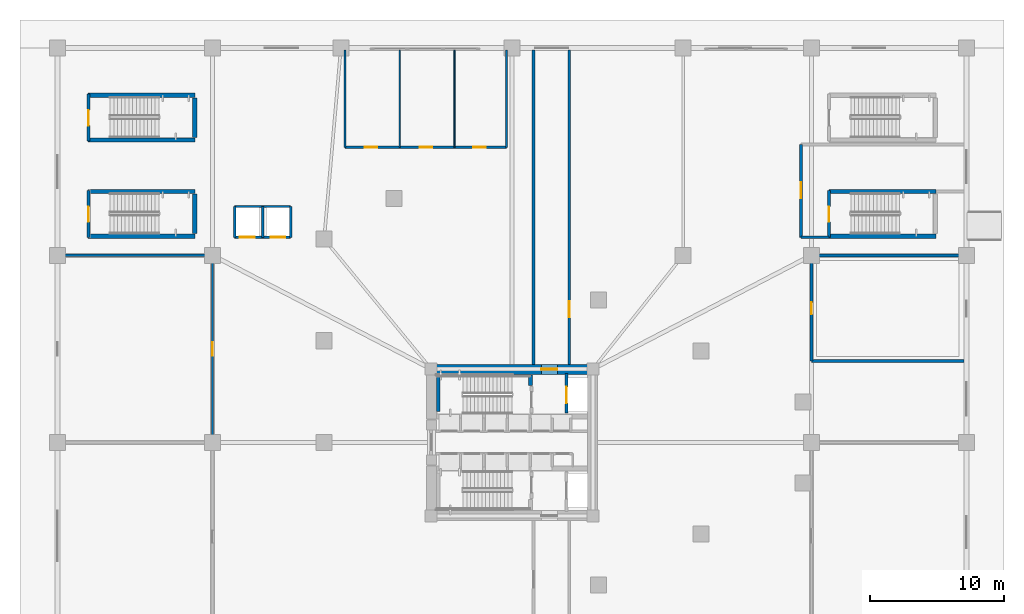
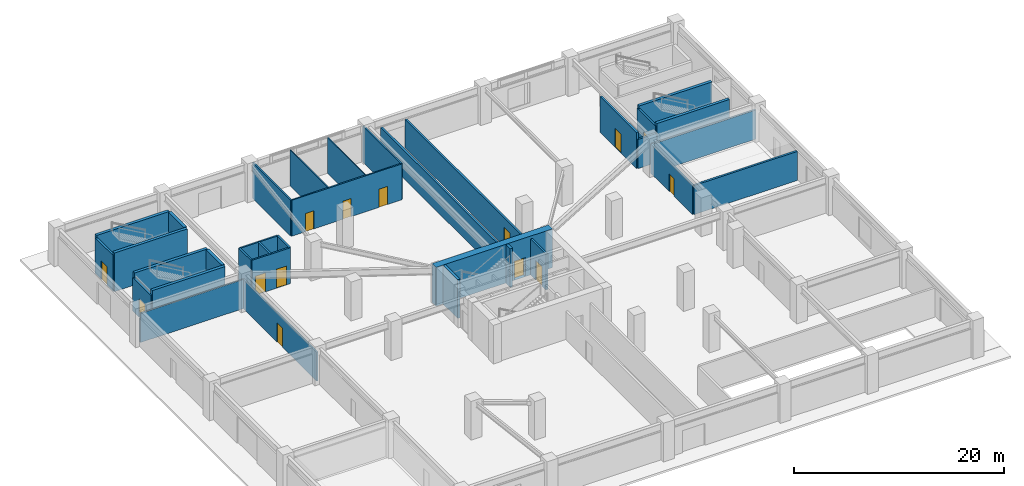
# One storey, part 6 of 18: 34 walls, 14 doors, 14 openings.
"""IFC4 building model written with IfcOpenShell, lengths in metres."""

from ifc_helpers import new_model, si_unit, direction, frame, frame_2d, origin, place, context, subcontext, project, spatial, rectangle, extrude, material, layer, layer_set, type_object, element, fill, save


model = new_model("IFC4")

# Units and contexts
model_context = context("Model", 3, precision=1e-05, world=origin(), true_north=direction((0.0, 1.0)))
body_context = subcontext(model_context, "Body", "Model", "MODEL_VIEW")
ifc_project = project(units=[si_unit("LENGTHUNIT", "METRE"), si_unit("AREAUNIT", "SQUARE_METRE"), si_unit("VOLUMEUNIT", "CUBIC_METRE"), si_unit("PLANEANGLEUNIT", "RADIAN"), si_unit("MASSUNIT", "GRAM", prefix="KILO")], contexts=[model_context])

# Site, building, storey
site_placement = place(None, origin())
site = spatial("IfcSite", under=ifc_project, at=site_placement, CompositionType="ELEMENT")
building_placement = place(site_placement, origin())
building = spatial("IfcBuilding", under=site, at=building_placement, Name="Yunling Apex Tower", CompositionType="ELEMENT")
storey_placement = place(building_placement, origin())
storey = spatial("IfcBuildingStorey", under=building, at=storey_placement, Name="L01", CompositionType="ELEMENT", Elevation=0.0)

# Wall, opening, door
ifc_material_1 = material(Name="Concrete C60", Category="concrete")
ifc_layer_1 = layer(ifc_material_1, 0.75)
ifc_layer_set_1 = layer_set([ifc_layer_1], Name="Concrete C60")
wall_type_1 = type_object("IfcWallType", Name="WL-COR-1", PredefinedType="SHEAR", material=ifc_layer_set_1)
wall_1_placement = place(storey_placement, frame((-6.39990234375, 5.47509765625, 0.0), z_axis=(0.0, 0.0, 1.0), x_axis=(1.0, 0.0, 0.0)))
wall_1 = element("IfcWall", 1, at=wall_1_placement, inside=storey, type_object=wall_type_1, Name="L01 North Core Shear Wall", PredefinedType="SHEAR", context=body_context, shape_type="SweptSolid", body=[
    extrude(rectangle(XDim=12.7998046875, YDim=0.75, at=frame_2d((6.39990234375, 0.0))), origin(), (0.0, 0.0, 1.0), 4.5),
])
opening_1_placement = place(wall_1_placement, frame((8.60009765625, 0.0, 0.0)))
opening_1 = element("IfcOpeningElement", 2, at=opening_1_placement, cuts=wall_1, Name="Opening DR-FFL-1", PredefinedType="OPENING", context=body_context, shape_type="SweptSolid", body=[
    extrude(rectangle(XDim=1.199951171875, YDim=2.199951171875, at=frame_2d((0.60009765625, 1.10009765625))), frame((0.0, 0.385009765625, 0.0), z_axis=(0.0, -1.0, 0.0), x_axis=(1.0, 0.0, 0.0)), (0.0, 0.0, 1.0), 0.77001953125),
])
ifc_material_2 = material(Name="Steel Q355B", Category="steel")
door_type_1 = type_object("IfcDoorType", Name="DR-FFL-1", OperationType="NOTDEFINED", PredefinedType="DOOR", material=ifc_material_2)
door_1_placement = place(opening_1_placement, origin())
door_1 = element("IfcDoor", 3, at=door_1_placement, inside=storey, type_object=door_type_1, Name="L01 North Firefighting Lobby Door", OperationType="SINGLE_SWING_LEFT", OverallHeight=2.199951171875, OverallWidth=1.199951171875, PredefinedType="DOOR", context=body_context, shape_type="SweptSolid", body=[
    extrude(rectangle(XDim=1.199951171875, YDim=2.199951171875, at=frame_2d((0.60009765625, 1.10009765625))), frame((0.0, 0.02490234375, 0.0), z_axis=(0.0, -1.0, 0.0), x_axis=(1.0, 0.0, 0.0)), (0.0, 0.0, 1.0), 0.050048828125),
])
fill(opening_1, door_1)

# Walls
ifc_material_3 = material(Name="Concrete C40", Category="concrete")
ifc_layer_2 = layer(ifc_material_3, 0.320068359375)
ifc_layer_set_2 = layer_set([ifc_layer_2], Name="Concrete C40")
wall_type_2 = type_object("IfcWallType", Name="WL-COR-7", PredefinedType="SHEAR", material=ifc_layer_set_2)
for number, where, z_axis, x_axis, name in (
    (4, (-31.699951171875, 18.780029296875, 0.0), (0.0, 0.0, 1.0), (1.0, 0.0, 0.0), "L01 STP1 North Bearing Wall"),
    (5, (-31.699951171875, 15.419921875, 0.0), (0.0, 0.0, 1.0), (1.0, 0.0, 0.0), "L01 STP1 South Bearing Wall"),
):
    element("IfcWall", number, at=place(storey_placement, frame(where, z_axis=z_axis, x_axis=x_axis)), inside=storey, type_object=wall_type_2, Name=name, PredefinedType="SHEAR", context=body_context, shape_type="SweptSolid", body=[
        extrude(rectangle(XDim=8.0, YDim=0.320068359375, at=frame_2d((4.0, 0.0))), origin(), (0.0, 0.0, 1.0), 4.5),
    ])
wall_2_placement = place(storey_placement, frame((-23.719970703125, 15.6201171875, 0.0), z_axis=(0.0, 0.0, 1.0), x_axis=(0.0, 1.0, 0.0)))
element("IfcWall", 6, at=wall_2_placement, inside=storey, type_object=wall_type_2, Name="L01 STP1 Half-Landing Bearing Wall", PredefinedType="SHEAR", context=body_context, shape_type="SweptSolid", body=[
    extrude(rectangle(XDim=2.9599609375, YDim=0.320068359375, at=frame_2d((1.47998046875, 0.0))), origin(), (0.0, 0.0, 1.0), 4.5),
])
for number, where, z_axis, x_axis, name in (
    (7, (23.699951171875, 18.780029296875, 0.0), (0.0, 0.0, 1.0), (1.0, 0.0, 0.0), "L01 STP2 North Bearing Wall"),
    (8, (23.699951171875, 15.419921875, 0.0), (0.0, 0.0, 1.0), (1.0, 0.0, 0.0), "L01 STP2 South Bearing Wall"),
    (9, (-31.699951171875, 25.97998046875, 0.0), (0.0, 0.0, 1.0), (1.0, 0.0, 0.0), "L01 STG1 North Bearing Wall"),
    (10, (-31.699951171875, 22.6201171875, 0.0), (0.0, 0.0, 1.0), (1.0, 0.0, 0.0), "L01 STG1 South Bearing Wall"),
):
    element("IfcWall", number, at=place(storey_placement, frame(where, z_axis=z_axis, x_axis=x_axis)), inside=storey, type_object=wall_type_2, Name=name, PredefinedType="SHEAR", context=body_context, shape_type="SweptSolid", body=[
        extrude(rectangle(XDim=8.0, YDim=0.320068359375, at=frame_2d((4.0, 0.0))), origin(), (0.0, 0.0, 1.0), 4.5),
    ])
wall_3_placement = place(storey_placement, frame((-23.719970703125, 22.820068359375, 0.0), z_axis=(0.0, 0.0, 1.0), x_axis=(0.0, 1.0, 0.0)))
element("IfcWall", 11, at=wall_3_placement, inside=storey, type_object=wall_type_2, Name="L01 STG1 Half-Landing Bearing Wall", PredefinedType="SHEAR", context=body_context, shape_type="SweptSolid", body=[
    extrude(rectangle(XDim=2.9599609375, YDim=0.320068359375, at=frame_2d((1.47998046875, 0.0))), origin(), (0.0, 0.0, 1.0), 4.5),
])
ifc_layer_3 = layer(ifc_material_3, 0.280029296875)
ifc_layer_set_3 = layer_set([ifc_layer_3], Name="Concrete C40")
wall_type_3 = type_object("IfcWallType", Name="WL-COR-8", PredefinedType="SHEAR", material=ifc_layer_set_3)
wall_4_placement = place(storey_placement, frame((-5.52001953125, 2.300048828125, 0.0), z_axis=(0.0, 0.0, 1.0), x_axis=(0.0, 1.0, 0.0)))
element("IfcWall", 12, at=wall_4_placement, inside=storey, type_object=wall_type_3, Name="L01 ST-1 West Landing Bearing Wall", PredefinedType="SHEAR", context=body_context, shape_type="SweptSolid", body=[
    extrude(rectangle(XDim=2.75, YDim=0.280029296875, at=frame_2d((1.375, 0.0))), origin(), (0.0, 0.0, 1.0), 4.5),
])
wall_5_placement = place(storey_placement, frame((1.3798828125, 4.25, 0.0), z_axis=(0.0, 0.0, 1.0), x_axis=(0.0, 1.0, 0.0)))
element("IfcWall", 13, at=wall_5_placement, inside=storey, type_object=wall_type_3, Name="L01 ST-1 East Landing Bearing Pier", PredefinedType="SHEAR", context=body_context, shape_type="SweptSolid", body=[
    extrude(rectangle(XDim=0.800048828125, YDim=0.280029296875, at=frame_2d((0.39990234375, 0.0))), origin(), (0.0, 0.0, 1.0), 4.5),
])

# Wall, openings, doors
ifc_material_4 = material(Name="Gypsum board acoustic partition")
ifc_layer_4 = layer(ifc_material_4, 0.159912109375)
ifc_layer_set_4 = layer_set([ifc_layer_4], Name="Gypsum board acoustic partition")
wall_type_4 = type_object("IfcWallType", Name="WL-PRT-1", PredefinedType="PARTITIONING", material=ifc_layer_set_4)
wall_6_placement = place(storey_placement, frame((-12.5, 22.080078125, 0.0), z_axis=(0.0, 0.0, 1.0), x_axis=(1.0, 0.0, 0.0)))
wall_6 = element("IfcWall", 14, at=wall_6_placement, inside=storey, type_object=wall_type_4, Name="WL-L01-WCS", PredefinedType="PARTITIONING", context=body_context, shape_type="SweptSolid", body=[
    extrude(rectangle(XDim=12.10009765625, YDim=0.159912109375, at=frame_2d((6.050048828125, 0.0))), origin(), (0.0, 0.0, 1.0), 4.169921875),
])
opening_2_placement = place(wall_6_placement, frame((1.5, 0.0, 0.0)))
opening_2 = element("IfcOpeningElement", 15, at=opening_2_placement, cuts=wall_6, Name="Opening DR-WC-1", PredefinedType="OPENING", context=body_context, shape_type="SweptSolid", body=[
    extrude(rectangle(XDim=0.919921875, YDim=2.10009765625, at=frame_2d((0.4599609375, 1.050048828125))), frame((0.0, 0.08984375, 0.0), z_axis=(0.0, -1.0, 0.0), x_axis=(1.0, 0.0, 0.0)), (0.0, 0.0, 1.0), 0.179931640625),
])
opening_3_placement = place(wall_6_placement, frame((5.60009765625, 0.0, 0.0)))
opening_3 = element("IfcOpeningElement", 16, at=opening_3_placement, cuts=wall_6, Name="Opening DR-WC-1", PredefinedType="OPENING", context=body_context, shape_type="SweptSolid", body=[
    extrude(rectangle(XDim=0.919921875, YDim=2.10009765625, at=frame_2d((0.4599609375, 1.050048828125))), frame((0.0, 0.08984375, 0.0), z_axis=(0.0, -1.0, 0.0), x_axis=(1.0, 0.0, 0.0)), (0.0, 0.0, 1.0), 0.179931640625),
])
opening_4_placement = place(wall_6_placement, frame((9.60009765625, 0.0, 0.0)))
opening_4 = element("IfcOpeningElement", 17, at=opening_4_placement, cuts=wall_6, Name="Opening DR-WC-1", PredefinedType="OPENING", context=body_context, shape_type="SweptSolid", body=[
    extrude(rectangle(XDim=0.919921875, YDim=2.10009765625, at=frame_2d((0.4599609375, 1.050048828125))), frame((0.0, 0.08984375, 0.0), z_axis=(0.0, -1.0, 0.0), x_axis=(1.0, 0.0, 0.0)), (0.0, 0.0, 1.0), 0.179931640625),
])
ifc_material_5 = material(Name="Timber moisture-resistant leaf", Category="wood")
door_type_2 = type_object("IfcDoorType", Name="DR-WC-1", OperationType="NOTDEFINED", PredefinedType="DOOR", material=ifc_material_5)
door_2_placement = place(opening_2_placement, origin())
door_2 = element("IfcDoor", 18, at=door_2_placement, inside=storey, type_object=door_type_2, Name="L01 Male Toilet Door", OperationType="SINGLE_SWING_LEFT", OverallHeight=2.10009765625, OverallWidth=0.919921875, PredefinedType="DOOR", context=body_context, shape_type="SweptSolid", body=[
    extrude(rectangle(XDim=0.919921875, YDim=2.10009765625, at=frame_2d((0.4599609375, 1.050048828125))), frame((0.0, 0.02490234375, 0.0), z_axis=(0.0, -1.0, 0.0), x_axis=(1.0, 0.0, 0.0)), (0.0, 0.0, 1.0), 0.050048828125),
])
fill(opening_2, door_2)
door_3_placement = place(opening_3_placement, origin())
door_3 = element("IfcDoor", 19, at=door_3_placement, inside=storey, type_object=door_type_2, Name="L01 Female Toilet Door", OperationType="SINGLE_SWING_RIGHT", OverallHeight=2.10009765625, OverallWidth=0.919921875, PredefinedType="DOOR", context=body_context, shape_type="SweptSolid", body=[
    extrude(rectangle(XDim=0.919921875, YDim=2.10009765625, at=frame_2d((0.4599609375, 1.050048828125))), frame((0.0, 0.02490234375, 0.0), z_axis=(0.0, -1.0, 0.0), x_axis=(1.0, 0.0, 0.0)), (0.0, 0.0, 1.0), 0.050048828125),
])
fill(opening_3, door_3)
door_4_placement = place(opening_4_placement, origin())
door_4 = element("IfcDoor", 20, at=door_4_placement, inside=storey, type_object=door_type_2, Name="L01 Accessible WC Door", OperationType="SINGLE_SWING_LEFT", OverallHeight=2.10009765625, OverallWidth=0.919921875, PredefinedType="DOOR", context=body_context, shape_type="SweptSolid", body=[
    extrude(rectangle(XDim=0.919921875, YDim=2.10009765625, at=frame_2d((0.4599609375, 1.050048828125))), frame((0.0, 0.02490234375, 0.0), z_axis=(0.0, -1.0, 0.0), x_axis=(1.0, 0.0, 0.0)), (0.0, 0.0, 1.0), 0.050048828125),
])
fill(opening_4, door_4)

# Walls
for number, where, z_axis, x_axis, name in (
    (21, (-12.5, 22.080078125, 0.0), (0.0, 0.0, 1.0), (0.0, 1.0, 0.0), "WL-L01-WCW"),
    (22, (-0.39990234375, 22.080078125, 0.0), (0.0, 0.0, 1.0), (0.0, 1.0, 0.0), "WL-L01-WCE"),
):
    element("IfcWall", number, at=place(storey_placement, frame(where, z_axis=z_axis, x_axis=x_axis)), inside=storey, type_object=wall_type_4, Name=name, PredefinedType="PARTITIONING", context=body_context, shape_type="SweptSolid", body=[
        extrude(rectangle(XDim=7.27001953125, YDim=0.159912109375, at=frame_2d((3.635009765625, 0.0))), origin(), (0.0, 0.0, 1.0), 4.169921875),
    ])

# Wall, opening, door
wall_7_placement = place(storey_placement, frame((-22.39990234375, 0.0, 0.0), z_axis=(0.0, 0.0, 1.0), x_axis=(0.0, 1.0, 0.0)))
wall_7 = element("IfcWall", 23, at=wall_7_placement, inside=storey, type_object=wall_type_4, Name="WL-L01-RET1E", PredefinedType="PARTITIONING", context=body_context, shape_type="SweptSolid", body=[
    extrude(rectangle(XDim=14.0, YDim=0.159912109375, at=frame_2d((7.0, 0.0))), origin(), (0.0, 0.0, 1.0), 3.375),
])
opening_5_placement = place(wall_7_placement, frame((6.5, 0.0, 0.0)))
opening_5 = element("IfcOpeningElement", 24, at=opening_5_placement, cuts=wall_7, Name="Opening DR-OFF-1", PredefinedType="OPENING", context=body_context, shape_type="SweptSolid", body=[
    extrude(rectangle(XDim=1.0, YDim=2.25, at=frame_2d((0.5, 1.125))), frame((0.0, 0.08984375, 0.0), z_axis=(0.0, -1.0, 0.0), x_axis=(1.0, 0.0, 0.0)), (0.0, 0.0, 1.0), 0.179931640625),
])
ifc_material_6 = material(Name="Bronze anodised aluminium", Category="aluminium")
door_type_3 = type_object("IfcDoorType", Name="DR-OFF-1", OperationType="NOTDEFINED", PredefinedType="DOOR", material=ifc_material_6)
door_5_placement = place(opening_5_placement, origin())
door_5 = element("IfcDoor", 25, at=door_5_placement, inside=storey, type_object=door_type_3, Name="L01 West Retail Boutique Door", OperationType="SINGLE_SWING_LEFT", OverallHeight=2.25, OverallWidth=1.0, PredefinedType="DOOR", context=body_context, shape_type="SweptSolid", body=[
    extrude(rectangle(XDim=1.0, YDim=2.25, at=frame_2d((0.5, 1.125))), frame((0.0, 0.02490234375, 0.0), z_axis=(0.0, -1.0, 0.0), x_axis=(1.0, 0.0, 0.0)), (0.0, 0.0, 1.0), 0.050048828125),
])
fill(opening_5, door_5)

# Walls
wall_8_placement = place(storey_placement, frame((-33.800048828125, 14.0, 0.0), z_axis=(0.0, 0.0, 1.0), x_axis=(1.0, 0.0, 0.0)))
element("IfcWall", 26, at=wall_8_placement, inside=storey, type_object=wall_type_4, Name="WL-L01-RET1N", PredefinedType="PARTITIONING", context=body_context, shape_type="SweptSolid", body=[
    extrude(rectangle(XDim=11.400146484375, YDim=0.159912109375, at=frame_2d((5.7001953125, 0.0))), origin(), (0.0, 0.0, 1.0), 3.375),
])
ifc_layer_5 = layer(ifc_material_4, 0.10009765625)
ifc_layer_set_5 = layer_set([ifc_layer_5], Name="Gypsum board acoustic partition")
wall_type_5 = type_object("IfcWallType", Name="WL-PRT-4", PredefinedType="PARTITIONING", material=ifc_layer_set_5)
for number, where, z_axis, x_axis, name in (
    (27, (-8.39990234375, 22.080078125, 0.0), (0.0, 0.0, 1.0), (0.0, 1.0, 0.0), "WL-L01-WCD1"),
    (28, (-4.300048828125, 22.080078125, 0.0), (0.0, 0.0, 1.0), (0.0, 1.0, 0.0), "WL-L01-WCD2"),
):
    element("IfcWall", number, at=place(storey_placement, frame(where, z_axis=z_axis, x_axis=x_axis)), inside=storey, type_object=wall_type_5, Name=name, PredefinedType="PARTITIONING", context=body_context, shape_type="SweptSolid", body=[
        extrude(rectangle(XDim=7.27001953125, YDim=0.10009765625, at=frame_2d((3.635009765625, 0.0))), origin(), (0.0, 0.0, 1.0), 4.169921875),
    ])

# Wall, opening, door
ifc_material_7 = material(Name="Autoclaved aerated concrete masonry", Category="masonry")
ifc_layer_6 = layer(ifc_material_7, 0.219970703125)
ifc_layer_set_6 = layer_set([ifc_layer_6], Name="Autoclaved aerated concrete masonry")
wall_type_6 = type_object("IfcWallType", Name="WL-SHF-1", PredefinedType="PLUMBINGWALL", material=ifc_layer_set_6)
wall_9_placement = place(storey_placement, frame((4.080078125, 2.199951171875, 0.0), z_axis=(0.0, 0.0, 1.0), x_axis=(0.0, 1.0, 0.0)))
wall_9 = element("IfcWall", 29, at=wall_9_placement, inside=storey, type_object=wall_type_6, Name="WL-FFL1-W-L01", PredefinedType="PLUMBINGWALL", context=body_context, shape_type="SweptSolid", body=[
    extrude(rectangle(XDim=2.949951171875, YDim=0.219970703125, at=frame_2d((1.47509765625, 0.0))), origin(), (0.0, 0.0, 1.0), 4.169921875),
])
opening_6_placement = place(wall_9_placement, frame((0.75, 0.0, 0.0)))
opening_6 = element("IfcOpeningElement", 30, at=opening_6_placement, cuts=wall_9, Name="Opening LD-FFL-1", PredefinedType="OPENING", context=body_context, shape_type="SweptSolid", body=[
    extrude(rectangle(XDim=1.199951171875, YDim=2.25, at=frame_2d((0.60009765625, 1.125))), frame((0.0, 0.1201171875, 0.0), z_axis=(0.0, -1.0, 0.0), x_axis=(1.0, 0.0, 0.0)), (0.0, 0.0, 1.0), 0.239990234375),
])
door_type_4 = type_object("IfcDoorType", Name="LD-FFL-1", OperationType="DOUBLE_DOOR_SLIDING", PredefinedType="DOOR", material=ifc_material_2)
door_6_placement = place(opening_6_placement, origin())
door_6 = element("IfcDoor", 31, at=door_6_placement, inside=storey, type_object=door_type_4, Name="L01 Lift FFL-1 Landing Door", OperationType="DOUBLE_DOOR_SLIDING", OverallHeight=2.25, OverallWidth=1.199951171875, PredefinedType="DOOR", context=body_context, shape_type="SweptSolid", body=[
    extrude(rectangle(XDim=1.199951171875, YDim=2.25, at=frame_2d((0.60009765625, 1.125))), frame((0.0, 0.02490234375, 0.0), z_axis=(0.0, -1.0, 0.0), x_axis=(1.0, 0.0, 0.0)), (0.0, 0.0, 1.0), 0.050048828125),
])
fill(opening_6, door_6)

wall_10_placement = place(storey_placement, frame((-31.679931640625, 15.35009765625, 0.0), z_axis=(0.0, 0.0, 1.0), x_axis=(0.0, 1.0, 0.0)))
wall_10 = element("IfcWall", 32, at=wall_10_placement, inside=storey, type_object=wall_type_6, Name="WL-STP1-W-L01", PredefinedType="PLUMBINGWALL", context=body_context, shape_type="SweptSolid", body=[
    extrude(rectangle(XDim=3.5, YDim=0.219970703125, at=frame_2d((1.75, 0.0))), origin(), (0.0, 0.0, 1.0), 3.89990234375),
])
opening_7_placement = place(wall_10_placement, frame((1.14990234375, 0.0, 0.0)))
opening_7 = element("IfcOpeningElement", 33, at=opening_7_placement, cuts=wall_10, Name="Opening DR-ST-1", PredefinedType="OPENING", context=body_context, shape_type="SweptSolid", body=[
    extrude(rectangle(XDim=1.14990234375, YDim=2.14990234375, at=frame_2d((0.574951171875, 1.074951171875))), frame((0.0, 0.1201171875, 0.0), z_axis=(0.0, -1.0, 0.0), x_axis=(1.0, 0.0, 0.0)), (0.0, 0.0, 1.0), 0.239990234375),
])
door_type_5 = type_object("IfcDoorType", Name="DR-ST-1", OperationType="NOTDEFINED", PredefinedType="DOOR", material=ifc_material_2)
door_7_placement = place(opening_7_placement, origin())
door_7 = element("IfcDoor", 34, at=door_7_placement, inside=storey, type_object=door_type_5, Name="L01 Stair ST-P1 Door", OperationType="SINGLE_SWING_LEFT", OverallHeight=2.14990234375, OverallWidth=1.14990234375, PredefinedType="DOOR", context=body_context, shape_type="SweptSolid", body=[
    extrude(rectangle(XDim=1.14990234375, YDim=2.14990234375, at=frame_2d((0.574951171875, 1.074951171875))), frame((0.0, 0.02490234375, 0.0), z_axis=(0.0, -1.0, 0.0), x_axis=(1.0, 0.0, 0.0)), (0.0, 0.0, 1.0), 0.050048828125),
])
fill(opening_7, door_7)

wall_11_placement = place(storey_placement, frame((23.719970703125, 15.35009765625, 0.0), z_axis=(0.0, 0.0, 1.0), x_axis=(0.0, 1.0, 0.0)))
wall_11 = element("IfcWall", 35, at=wall_11_placement, inside=storey, type_object=wall_type_6, Name="WL-STP2-W-L01", PredefinedType="PLUMBINGWALL", context=body_context, shape_type="SweptSolid", body=[
    extrude(rectangle(XDim=3.5, YDim=0.219970703125, at=frame_2d((1.75, 0.0))), origin(), (0.0, 0.0, 1.0), 4.169921875),
])
opening_8_placement = place(wall_11_placement, frame((1.14990234375, 0.0, 0.0)))
opening_8 = element("IfcOpeningElement", 36, at=opening_8_placement, cuts=wall_11, Name="Opening DR-ST-1", PredefinedType="OPENING", context=body_context, shape_type="SweptSolid", body=[
    extrude(rectangle(XDim=1.14990234375, YDim=2.14990234375, at=frame_2d((0.574951171875, 1.074951171875))), frame((0.0, 0.1201171875, 0.0), z_axis=(0.0, -1.0, 0.0), x_axis=(1.0, 0.0, 0.0)), (0.0, 0.0, 1.0), 0.239990234375),
])
door_8_placement = place(opening_8_placement, origin())
door_8 = element("IfcDoor", 37, at=door_8_placement, inside=storey, type_object=door_type_5, Name="L01 Stair ST-P2 Door", OperationType="SINGLE_SWING_RIGHT", OverallHeight=2.14990234375, OverallWidth=1.14990234375, PredefinedType="DOOR", context=body_context, shape_type="SweptSolid", body=[
    extrude(rectangle(XDim=1.14990234375, YDim=2.14990234375, at=frame_2d((0.574951171875, 1.074951171875))), frame((0.0, 0.02490234375, 0.0), z_axis=(0.0, -1.0, 0.0), x_axis=(1.0, 0.0, 0.0)), (0.0, 0.0, 1.0), 0.050048828125),
])
fill(opening_8, door_8)

wall_12_placement = place(storey_placement, frame((-31.679931640625, 22.550048828125, 0.0), z_axis=(0.0, 0.0, 1.0), x_axis=(0.0, 1.0, 0.0)))
wall_12 = element("IfcWall", 38, at=wall_12_placement, inside=storey, type_object=wall_type_6, Name="WL-STG1-W-L01", PredefinedType="PLUMBINGWALL", context=body_context, shape_type="SweptSolid", body=[
    extrude(rectangle(XDim=3.5, YDim=0.219970703125, at=frame_2d((1.75, 0.0))), origin(), (0.0, 0.0, 1.0), 4.169921875),
])
opening_9_placement = place(wall_12_placement, frame((1.14990234375, 0.0, 0.0)))
opening_9 = element("IfcOpeningElement", 39, at=opening_9_placement, cuts=wall_12, Name="Opening DR-ST-1", PredefinedType="OPENING", context=body_context, shape_type="SweptSolid", body=[
    extrude(rectangle(XDim=1.14990234375, YDim=2.14990234375, at=frame_2d((0.574951171875, 1.074951171875))), frame((0.0, 0.1201171875, 0.0), z_axis=(0.0, -1.0, 0.0), x_axis=(1.0, 0.0, 0.0)), (0.0, 0.0, 1.0), 0.239990234375),
])
door_9_placement = place(opening_9_placement, origin())
door_9 = element("IfcDoor", 40, at=door_9_placement, inside=storey, type_object=door_type_5, Name="L01 Garden Stair ST-G1 Door", OperationType="SINGLE_SWING_LEFT", OverallHeight=2.14990234375, OverallWidth=1.14990234375, PredefinedType="DOOR", context=body_context, shape_type="SweptSolid", body=[
    extrude(rectangle(XDim=1.14990234375, YDim=2.14990234375, at=frame_2d((0.574951171875, 1.074951171875))), frame((0.0, 0.02490234375, 0.0), z_axis=(0.0, -1.0, 0.0), x_axis=(1.0, 0.0, 0.0)), (0.0, 0.0, 1.0), 0.050048828125),
])
fill(opening_9, door_9)

# Wall
wall_13_placement = place(storey_placement, frame((1.6201171875, 5.85009765625, 0.0), z_axis=(0.0, 0.0, 1.0), x_axis=(0.0, 1.0, 0.0)))
element("IfcWall", 41, at=wall_13_placement, inside=storey, type_object=wall_type_6, Name="WL-EXPN-W", PredefinedType="PLUMBINGWALL", context=body_context, shape_type="SweptSolid", body=[
    extrude(rectangle(XDim=23.5, YDim=0.219970703125, at=frame_2d((11.75, 0.0))), origin(), (0.0, 0.0, 1.0), 3.27490234375),
])

# Wall, opening, door
wall_14_placement = place(storey_placement, frame((4.280029296875, 5.85009765625, 0.0), z_axis=(0.0, 0.0, 1.0), x_axis=(0.0, 1.0, 0.0)))
wall_14 = element("IfcWall", 42, at=wall_14_placement, inside=storey, type_object=wall_type_6, Name="WL-EXPN-E", PredefinedType="PLUMBINGWALL", context=body_context, shape_type="SweptSolid", body=[
    extrude(rectangle(XDim=23.5, YDim=0.219970703125, at=frame_2d((11.75, 0.0))), origin(), (0.0, 0.0, 1.0), 3.27490234375),
])
opening_10_placement = place(wall_14_placement, frame((3.5, 0.0, 0.0)))
opening_10 = element("IfcOpeningElement", 43, at=opening_10_placement, cuts=wall_14, Name="Opening DR-FFL-1", PredefinedType="OPENING", context=body_context, shape_type="SweptSolid", body=[
    extrude(rectangle(XDim=1.199951171875, YDim=2.199951171875, at=frame_2d((0.60009765625, 1.10009765625))), frame((0.0, 0.1201171875, 0.0), z_axis=(0.0, -1.0, 0.0), x_axis=(1.0, 0.0, 0.0)), (0.0, 0.0, 1.0), 0.239990234375),
])
door_10_placement = place(opening_10_placement, origin())
door_10 = element("IfcDoor", 44, at=door_10_placement, inside=storey, type_object=door_type_1, Name="L01 North Hall to Exit Passage Fire Door", OperationType="SINGLE_SWING_RIGHT", OverallHeight=2.199951171875, OverallWidth=1.199951171875, PredefinedType="DOOR", context=body_context, shape_type="SweptSolid", body=[
    extrude(rectangle(XDim=1.199951171875, YDim=2.199951171875, at=frame_2d((0.60009765625, 1.10009765625))), frame((0.0, 0.02490234375, 0.0), z_axis=(0.0, -1.0, 0.0), x_axis=(1.0, 0.0, 0.0)), (0.0, 0.0, 1.0), 0.050048828125),
])
fill(opening_10, door_10)

wall_15_placement = place(storey_placement, frame((21.6201171875, 15.35009765625, 0.0), z_axis=(0.0, 0.0, 1.0), x_axis=(0.0, 1.0, 0.0)))
wall_15 = element("IfcWall", 45, at=wall_15_placement, inside=storey, type_object=wall_type_6, Name="WL-EXPE-W", PredefinedType="PLUMBINGWALL", context=body_context, shape_type="SweptSolid", body=[
    extrude(rectangle(XDim=6.929931640625, YDim=0.219970703125, at=frame_2d((3.46484375, 0.0))), origin(), (0.0, 0.0, 1.0), 4.169921875),
])
opening_11_placement = place(wall_15_placement, frame((2.89990234375, 0.0, 0.0)))
opening_11 = element("IfcOpeningElement", 46, at=opening_11_placement, cuts=wall_15, Name="Opening DR-FFL-1", PredefinedType="OPENING", context=body_context, shape_type="SweptSolid", body=[
    extrude(rectangle(XDim=1.199951171875, YDim=2.199951171875, at=frame_2d((0.60009765625, 1.10009765625))), frame((0.0, 0.1201171875, 0.0), z_axis=(0.0, -1.0, 0.0), x_axis=(1.0, 0.0, 0.0)), (0.0, 0.0, 1.0), 0.239990234375),
])
door_11_placement = place(opening_11_placement, origin())
door_11 = element("IfcDoor", 47, at=door_11_placement, inside=storey, type_object=door_type_1, Name="L01 East Hall to Exit Passage Fire Door", OperationType="SINGLE_SWING_RIGHT", OverallHeight=2.199951171875, OverallWidth=1.199951171875, PredefinedType="DOOR", context=body_context, shape_type="SweptSolid", body=[
    extrude(rectangle(XDim=1.199951171875, YDim=2.199951171875, at=frame_2d((0.60009765625, 1.10009765625))), frame((0.0, 0.02490234375, 0.0), z_axis=(0.0, -1.0, 0.0), x_axis=(1.0, 0.0, 0.0)), (0.0, 0.0, 1.0), 0.050048828125),
])
fill(opening_11, door_11)

# Wall
wall_16_placement = place(storey_placement, frame((21.6201171875, 15.35009765625, 0.0), z_axis=(0.0, 0.0, 1.0), x_axis=(1.0, 0.0, 0.0)))
element("IfcWall", 48, at=wall_16_placement, inside=storey, type_object=wall_type_6, Name="WL-EXPE-S1", PredefinedType="PLUMBINGWALL", context=body_context, shape_type="SweptSolid", body=[
    extrude(rectangle(XDim=2.099853515625, YDim=0.219970703125, at=frame_2d((1.0498046875, 0.0))), origin(), (0.0, 0.0, 1.0), 3.375),
])

# Wall, opening, door
wall_17_placement = place(storey_placement, frame((22.39990234375, 6.080078125, 0.0), z_axis=(0.0, 0.0, 1.0), x_axis=(0.0, 1.0, 0.0)))
wall_17 = element("IfcWall", 49, at=wall_17_placement, inside=storey, type_object=wall_type_6, Name="WL-FCC-W", PredefinedType="PLUMBINGWALL", context=body_context, shape_type="SweptSolid", body=[
    extrude(rectangle(XDim=7.919921875, YDim=0.219970703125, at=frame_2d((3.9599609375, 0.0))), origin(), (0.0, 0.0, 1.0), 3.375),
])
opening_12_placement = place(wall_17_placement, frame((3.5, 0.0, 0.0)))
opening_12 = element("IfcOpeningElement", 50, at=opening_12_placement, cuts=wall_17, Name="Opening DR-SHF-1", PredefinedType="OPENING", context=body_context, shape_type="SweptSolid", body=[
    extrude(rectangle(XDim=0.89990234375, YDim=2.050048828125, at=frame_2d((0.449951171875, 1.02490234375))), frame((0.0, 0.1201171875, 0.0), z_axis=(0.0, -1.0, 0.0), x_axis=(1.0, 0.0, 0.0)), (0.0, 0.0, 1.0), 0.239990234375),
])
door_type_6 = type_object("IfcDoorType", Name="DR-SHF-1", OperationType="NOTDEFINED", PredefinedType="DOOR", material=ifc_material_2)
door_12_placement = place(opening_12_placement, origin())
door_12 = element("IfcDoor", 51, at=door_12_placement, inside=storey, type_object=door_type_6, Name="L01 Fire Command Centre Interior Door", OperationType="SINGLE_SWING_LEFT", OverallHeight=2.050048828125, OverallWidth=0.89990234375, PredefinedType="DOOR", context=body_context, shape_type="SweptSolid", body=[
    extrude(rectangle(XDim=0.89990234375, YDim=2.050048828125, at=frame_2d((0.449951171875, 1.02490234375))), frame((0.0, 0.02490234375, 0.0), z_axis=(0.0, -1.0, 0.0), x_axis=(1.0, 0.0, 0.0)), (0.0, 0.0, 1.0), 0.050048828125),
])
fill(opening_12, door_12)

# Walls
for number, where, z_axis, x_axis, name in (
    (52, (22.39990234375, 14.0, 0.0), (0.0, 0.0, 1.0), (1.0, 0.0, 0.0), "WL-FCC-N"),
    (53, (22.39990234375, 6.080078125, 0.0), (0.0, 0.0, 1.0), (1.0, 0.0, 0.0), "WL-FCC-S"),
):
    element("IfcWall", number, at=place(storey_placement, frame(where, z_axis=z_axis, x_axis=x_axis)), inside=storey, type_object=wall_type_6, Name=name, PredefinedType="PLUMBINGWALL", context=body_context, shape_type="SweptSolid", body=[
        extrude(rectangle(XDim=11.400146484375, YDim=0.219970703125, at=frame_2d((5.7001953125, 0.0))), origin(), (0.0, 0.0, 1.0), 3.375),
    ])

# Wall, openings, doors
ifc_layer_7 = layer(ifc_material_7, 0.179931640625)
ifc_layer_set_7 = layer_set([ifc_layer_7], Name="Autoclaved aerated concrete masonry")
wall_type_7 = type_object("IfcWallType", Name="WL-SHF-2", PredefinedType="PLUMBINGWALL", material=ifc_layer_set_7)
wall_18_placement = place(storey_placement, frame((-20.75, 15.35009765625, 0.0), z_axis=(0.0, 0.0, 1.0), x_axis=(1.0, 0.0, 0.0)))
wall_18 = element("IfcWall", 54, at=wall_18_placement, inside=storey, type_object=wall_type_7, Name="WL-PLP-S-L01", PredefinedType="PLUMBINGWALL", context=body_context, shape_type="SweptSolid", body=[
    extrude(rectangle(XDim=4.199951171875, YDim=0.179931640625, at=frame_2d((2.10009765625, 0.0))), origin(), (0.0, 0.0, 1.0), 4.169921875),
])
opening_13_placement = place(wall_18_placement, frame((0.39990234375, 0.0, 0.0)))
opening_13 = element("IfcOpeningElement", 55, at=opening_13_placement, cuts=wall_18, Name="Opening LD-PAS-1", PredefinedType="OPENING", context=body_context, shape_type="SweptSolid", body=[
    extrude(rectangle(XDim=1.10009765625, YDim=2.199951171875, at=frame_2d((0.550048828125, 1.10009765625))), frame((0.0, 0.10009765625, 0.0), z_axis=(0.0, -1.0, 0.0), x_axis=(1.0, 0.0, 0.0)), (0.0, 0.0, 1.0), 0.199951171875),
])
opening_14_placement = place(wall_18_placement, frame((2.699951171875, 0.0, 0.0)))
opening_14 = element("IfcOpeningElement", 56, at=opening_14_placement, cuts=wall_18, Name="Opening LD-PAS-1", PredefinedType="OPENING", context=body_context, shape_type="SweptSolid", body=[
    extrude(rectangle(XDim=1.10009765625, YDim=2.199951171875, at=frame_2d((0.550048828125, 1.10009765625))), frame((0.0, 0.10009765625, 0.0), z_axis=(0.0, -1.0, 0.0), x_axis=(1.0, 0.0, 0.0)), (0.0, 0.0, 1.0), 0.199951171875),
])
ifc_material_8 = material(Name="Silver anodised aluminium", Category="aluminium")
door_type_7 = type_object("IfcDoorType", Name="LD-PAS-1", OperationType="DOUBLE_DOOR_SLIDING", PredefinedType="DOOR", material=ifc_material_8)
door_13_placement = place(opening_13_placement, origin())
door_13 = element("IfcDoor", 57, at=door_13_placement, inside=storey, type_object=door_type_7, Name="L01 Lift PL-P1 Landing Door", OperationType="DOUBLE_DOOR_SLIDING", OverallHeight=2.199951171875, OverallWidth=1.10009765625, PredefinedType="DOOR", context=body_context, shape_type="SweptSolid", body=[
    extrude(rectangle(XDim=1.10009765625, YDim=2.199951171875, at=frame_2d((0.550048828125, 1.10009765625))), frame((0.0, 0.02490234375, 0.0), z_axis=(0.0, -1.0, 0.0), x_axis=(1.0, 0.0, 0.0)), (0.0, 0.0, 1.0), 0.050048828125),
])
fill(opening_13, door_13)
door_14_placement = place(opening_14_placement, origin())
door_14 = element("IfcDoor", 58, at=door_14_placement, inside=storey, type_object=door_type_7, Name="L01 Lift PL-P2 Landing Door", OperationType="DOUBLE_DOOR_SLIDING", OverallHeight=2.199951171875, OverallWidth=1.10009765625, PredefinedType="DOOR", context=body_context, shape_type="SweptSolid", body=[
    extrude(rectangle(XDim=1.10009765625, YDim=2.199951171875, at=frame_2d((0.550048828125, 1.10009765625))), frame((0.0, 0.02490234375, 0.0), z_axis=(0.0, -1.0, 0.0), x_axis=(1.0, 0.0, 0.0)), (0.0, 0.0, 1.0), 0.050048828125),
])
fill(opening_14, door_14)

# Walls
wall_19_placement = place(storey_placement, frame((-20.75, 17.64990234375, 0.0), z_axis=(0.0, 0.0, 1.0), x_axis=(1.0, 0.0, 0.0)))
element("IfcWall", 59, at=wall_19_placement, inside=storey, type_object=wall_type_7, Name="WL-PLP-N-L01", PredefinedType="PLUMBINGWALL", context=body_context, shape_type="SweptSolid", body=[
    extrude(rectangle(XDim=4.199951171875, YDim=0.179931640625, at=frame_2d((2.10009765625, 0.0))), origin(), (0.0, 0.0, 1.0), 4.169921875),
])
for number, where, z_axis, x_axis, name in (
    (60, (-20.75, 15.35009765625, 0.0), (0.0, 0.0, 1.0), (0.0, 1.0, 0.0), "WL-PLP-W-L01"),
    (61, (-18.64990234375, 15.35009765625, 0.0), (0.0, 0.0, 1.0), (0.0, 1.0, 0.0), "WL-PLP-M-L01"),
    (62, (-16.550048828125, 15.35009765625, 0.0), (0.0, 0.0, 1.0), (0.0, 1.0, 0.0), "WL-PLP-E-L01"),
):
    element("IfcWall", number, at=place(storey_placement, frame(where, z_axis=z_axis, x_axis=x_axis)), inside=storey, type_object=wall_type_7, Name=name, PredefinedType="PLUMBINGWALL", context=body_context, shape_type="SweptSolid", body=[
        extrude(rectangle(XDim=2.2998046875, YDim=0.179931640625, at=frame_2d((1.14990234375, 0.0))), origin(), (0.0, 0.0, 1.0), 4.169921875),
    ])

save(model, "model.ifc")
